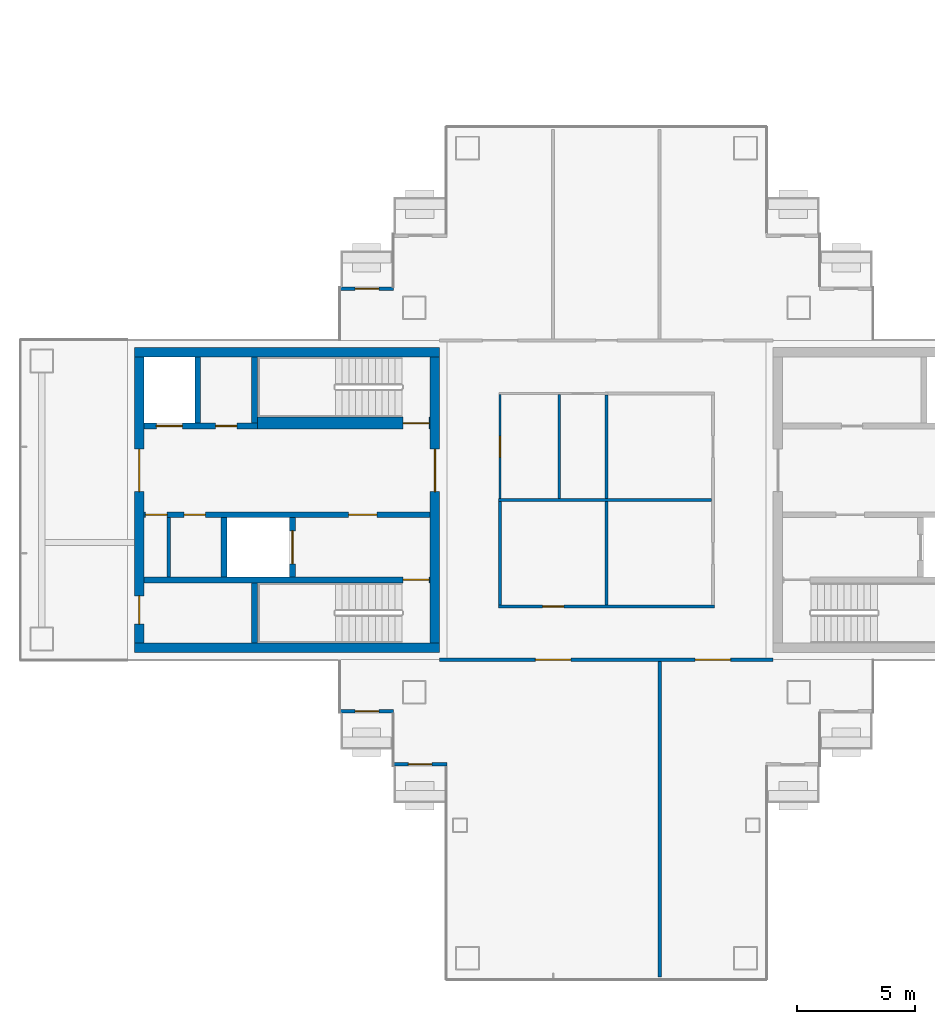
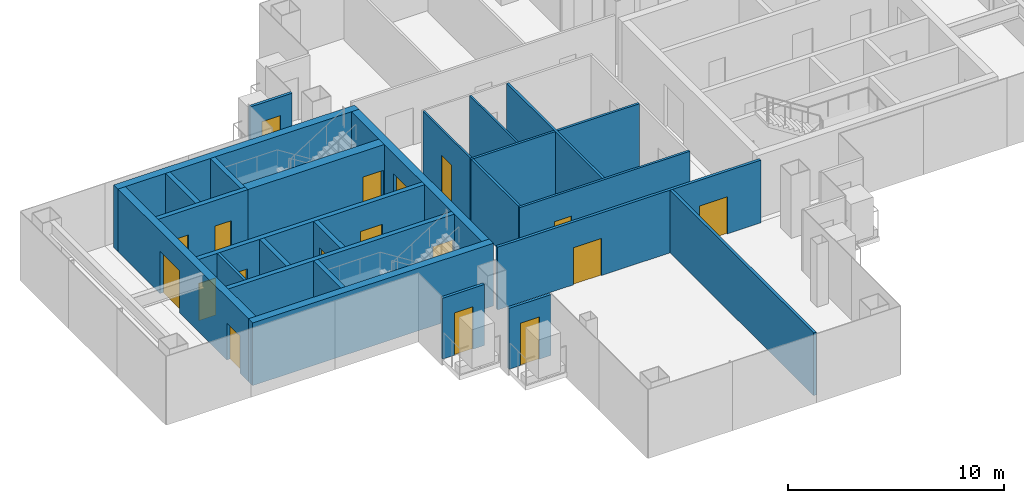
# One storey, part 8 of 15: 25 walls, 18 doors, 18 openings.
"""IFC4 building model written with IfcOpenShell, lengths in metres."""

from ifc_helpers import new_model, si_unit, direction, frame, frame_2d, origin, place, context, subcontext, project, spatial, rectangle, extrude, material, layer, layer_set, type_object, element, fill, save


model = new_model("IFC4")

# Units and contexts
model_context = context("Model", 3, precision=1e-05, world=origin(), true_north=direction((0.0, 1.0)))
body_context = subcontext(model_context, "Body", "Model", "MODEL_VIEW")
ifc_project = project(units=[si_unit("LENGTHUNIT", "METRE"), si_unit("AREAUNIT", "SQUARE_METRE"), si_unit("VOLUMEUNIT", "CUBIC_METRE"), si_unit("PLANEANGLEUNIT", "RADIAN"), si_unit("MASSUNIT", "GRAM", prefix="KILO")], contexts=[model_context])

# Site, building, storey
site_placement = place(None, origin())
site = spatial("IfcSite", under=ifc_project, at=site_placement, CompositionType="ELEMENT")
building_placement = place(site_placement, origin())
building = spatial("IfcBuilding", under=site, at=building_placement, Name="Shamsa Quay Exchange Towers", CompositionType="ELEMENT")
storey_placement = place(building_placement, frame((0.0, 0.0, 202.199951171875)))
storey = spatial("IfcBuildingStorey", under=building, at=storey_placement, Name="L48", CompositionType="ELEMENT", Elevation=202.199951171875)

# Wall, opening, door
ifc_material_1 = material(Name="Aluminium EN AW-6063 T6, black anodised, with black enamelled glass infill", Category="aluminium")
ifc_layer_1 = layer(ifc_material_1, 0.14990234375)
ifc_layer_set_1 = layer_set([ifc_layer_1], Name="BALCONY DOOR BAY WALL 150")
wall_type_1 = type_object("IfcWallType", Name="BALCONY DOOR BAY WALL 150", PredefinedType="SOLIDWALL", material=ifc_layer_set_1)
wall_1_placement = place(storey_placement, frame((-45.0, 8.925048828125, 0.0)))
wall_1 = element("IfcWall", 1, at=wall_1_placement, inside=storey, type_object=wall_type_1, Name="Door bay T1-PKWN L48", PredefinedType="SOLIDWALL", context=body_context, shape_type="SweptSolid", body=[
    extrude(rectangle(XDim=2.25, YDim=0.14990234375, at=frame_2d((1.125, 0.0))), origin(), (0.0, 0.0, 1.0), 3.449951171875),
])
opening_1_placement = place(wall_1_placement, frame((0.625, 0.0, 0.0)))
opening_1 = element("IfcOpeningElement", 2, at=opening_1_placement, cuts=wall_1, Name="Opening XD318", PredefinedType="OPENING", context=body_context, shape_type="SweptSolid", body=[
    extrude(rectangle(XDim=1.0, YDim=2.39990234375, at=frame_2d((0.5, 1.199951171875))), frame((0.0, 0.0849609375, 0.0), z_axis=(0.0, -1.0, 0.0), x_axis=(1.0, 0.0, 0.0)), (0.0, 0.0, 1.0), 0.169921875),
])
ifc_material_2 = material(Name="Aluminium EN AW-6063 T6, black anodised, with laminated glass leaf", Category="aluminium")
door_type_1 = type_object("IfcDoorType", Name="BALCONY DOOR 1000x2400", OperationType="SINGLE_SWING_LEFT", PredefinedType="DOOR", material=ifc_material_2)
door_1_placement = place(opening_1_placement, origin())
door_1 = element("IfcDoor", 3, at=door_1_placement, inside=storey, type_object=door_type_1, Name="Balcony door T1-PKWN L48", OperationType="SINGLE_SWING_RIGHT", OverallHeight=2.39990234375, OverallWidth=1.0, PredefinedType="DOOR", context=body_context, shape_type="SweptSolid", body=[
    extrude(rectangle(XDim=1.0, YDim=2.39990234375, at=frame_2d((0.5, 1.199951171875))), frame((0.0, 0.02490234375, 0.0), z_axis=(0.0, -1.0, 0.0), x_axis=(1.0, 0.0, 0.0)), (0.0, 0.0, 1.0), 0.050048828125),
])
fill(opening_1, door_1)

wall_2_placement = place(storey_placement, frame((-42.75, -8.925048828125, 0.0), z_axis=(0.0, 0.0, 1.0), x_axis=(-1.0, 0.0, 0.0)))
wall_2 = element("IfcWall", 4, at=wall_2_placement, inside=storey, type_object=wall_type_1, Name="Door bay T1-PKWS L48", PredefinedType="SOLIDWALL", context=body_context, shape_type="SweptSolid", body=[
    extrude(rectangle(XDim=2.25, YDim=0.14990234375, at=frame_2d((1.125, 0.0))), origin(), (0.0, 0.0, 1.0), 3.449951171875),
])
opening_2_placement = place(wall_2_placement, frame((0.625, 0.0, 0.0)))
opening_2 = element("IfcOpeningElement", 5, at=opening_2_placement, cuts=wall_2, Name="Opening XD319", PredefinedType="OPENING", context=body_context, shape_type="SweptSolid", body=[
    extrude(rectangle(XDim=1.0, YDim=2.39990234375, at=frame_2d((0.5, 1.199951171875))), frame((0.0, 0.0849609375, 0.0), z_axis=(0.0, -1.0, 0.0), x_axis=(1.0, 0.0, 0.0)), (0.0, 0.0, 1.0), 0.169921875),
])
door_2_placement = place(opening_2_placement, origin())
door_2 = element("IfcDoor", 6, at=door_2_placement, inside=storey, type_object=door_type_1, Name="Balcony door T1-PKWS L48", OperationType="SINGLE_SWING_LEFT", OverallHeight=2.39990234375, OverallWidth=1.0, PredefinedType="DOOR", context=body_context, shape_type="SweptSolid", body=[
    extrude(rectangle(XDim=1.0, YDim=2.39990234375, at=frame_2d((0.5, 1.199951171875))), frame((0.0, 0.02490234375, 0.0), z_axis=(0.0, -1.0, 0.0), x_axis=(1.0, 0.0, 0.0)), (0.0, 0.0, 1.0), 0.050048828125),
])
fill(opening_2, door_2)

wall_3_placement = place(storey_placement, frame((-40.5, -11.175048828125, 0.0), z_axis=(0.0, 0.0, 1.0), x_axis=(-1.0, 0.0, 0.0)))
wall_3 = element("IfcWall", 7, at=wall_3_placement, inside=storey, type_object=wall_type_1, Name="Door bay T1-PKWS L48", PredefinedType="SOLIDWALL", context=body_context, shape_type="SweptSolid", body=[
    extrude(rectangle(XDim=2.25, YDim=0.14990234375, at=frame_2d((1.125, 0.0))), origin(), (0.0, 0.0, 1.0), 3.449951171875),
])
opening_3_placement = place(wall_3_placement, frame((0.625, 0.0, 0.0)))
opening_3 = element("IfcOpeningElement", 8, at=opening_3_placement, cuts=wall_3, Name="Opening XD320", PredefinedType="OPENING", context=body_context, shape_type="SweptSolid", body=[
    extrude(rectangle(XDim=1.0, YDim=2.39990234375, at=frame_2d((0.5, 1.199951171875))), frame((0.0, 0.0849609375, 0.0), z_axis=(0.0, -1.0, 0.0), x_axis=(1.0, 0.0, 0.0)), (0.0, 0.0, 1.0), 0.169921875),
])
door_3_placement = place(opening_3_placement, origin())
door_3 = element("IfcDoor", 9, at=door_3_placement, inside=storey, type_object=door_type_1, Name="Balcony door T1-PKWS L48", OperationType="SINGLE_SWING_RIGHT", OverallHeight=2.39990234375, OverallWidth=1.0, PredefinedType="DOOR", context=body_context, shape_type="SweptSolid", body=[
    extrude(rectangle(XDim=1.0, YDim=2.39990234375, at=frame_2d((0.5, 1.199951171875))), frame((0.0, 0.02490234375, 0.0), z_axis=(0.0, -1.0, 0.0), x_axis=(1.0, 0.0, 0.0)), (0.0, 0.0, 1.0), 0.050048828125),
])
fill(opening_3, door_3)

# Walls
ifc_material_3 = material(Name="Concrete C60/75", Category="concrete")
ifc_layer_2 = layer(ifc_material_3, 0.39990234375)
ifc_layer_set_2 = layer_set([ifc_layer_2], Name="CORE WALL 400 C60/75")
wall_type_2 = type_object("IfcWallType", Name="CORE WALL 400 C60/75", PredefinedType="SHEAR", material=ifc_layer_set_2)
for number, where, z_axis, x_axis, name in (
    (10, (-40.800048828125, -6.25, 0.0), (0.0, 0.0, 1.0), (-1.0, 0.0, 0.0), "Core wall T1B-R22-PS"),
    (11, (-40.800048828125, 6.25, 0.0), (0.0, 0.0, 1.0), (-1.0, 0.0, 0.0), "Core wall T1B-R22-PN"),
):
    element("IfcWall", number, at=place(storey_placement, frame(where, z_axis=z_axis, x_axis=x_axis)), inside=storey, type_object=wall_type_2, Name=name, PredefinedType="SHEAR", context=body_context, shape_type="SweptSolid", body=[
        extrude(rectangle(XDim=12.89990234375, YDim=0.39990234375, at=frame_2d((6.449951171875, 0.0))), origin(), (0.0, 0.0, 1.0), 3.550048828125),
    ])

# Wall, opening, door
wall_4_placement = place(storey_placement, frame((-41.0, -6.050048828125, 0.0), z_axis=(0.0, 0.0, 1.0), x_axis=(0.0, 1.0, 0.0)))
wall_4 = element("IfcWall", 12, at=wall_4_placement, inside=storey, type_object=wall_type_2, Name="Core wall T1B-R22-PF", PredefinedType="SHEAR", context=body_context, shape_type="SweptSolid", body=[
    extrude(rectangle(XDim=12.10009765625, YDim=0.39990234375, at=frame_2d((6.050048828125, 0.0))), origin(), (0.0, 0.0, 1.0), 3.550048828125),
])
opening_4_placement = place(wall_4_placement, frame((6.39990234375, 0.0, 0.0)))
opening_4 = element("IfcOpeningElement", 13, at=opening_4_placement, cuts=wall_4, Name="Opening T1B-R22-LBD01", PredefinedType="OPENING", context=body_context, shape_type="SweptSolid", body=[
    extrude(rectangle(XDim=1.800048828125, YDim=2.39990234375, at=frame_2d((0.89990234375, 1.199951171875))), frame((0.0, 0.2099609375, 0.0), z_axis=(0.0, -1.0, 0.0), x_axis=(1.0, 0.0, 0.0)), (0.0, 0.0, 1.0), 0.419921875),
])
ifc_material_4 = material(Name="Steel, fire rated", Category="steel")
door_type_2 = type_object("IfcDoorType", Name="LIFT LOBBY DOOR PAIR 1800", OperationType="DOUBLE_DOOR_SINGLE_SWING", PredefinedType="DOOR", material=ifc_material_4)
door_4_placement = place(opening_4_placement, origin())
door_4 = element("IfcDoor", 14, at=door_4_placement, inside=storey, type_object=door_type_2, Name="T1B-R22-LBD01", OperationType="DOUBLE_DOOR_SINGLE_SWING", OverallHeight=2.39990234375, OverallWidth=1.800048828125, PredefinedType="DOOR", context=body_context, shape_type="SweptSolid", body=[
    extrude(rectangle(XDim=1.800048828125, YDim=2.39990234375, at=frame_2d((0.89990234375, 1.199951171875))), frame((0.0, 0.02490234375, 0.0), z_axis=(0.0, -1.0, 0.0), x_axis=(1.0, 0.0, 0.0)), (0.0, 0.0, 1.0), 0.050048828125),
])
fill(opening_4, door_4)

# Wall, openings, doors
wall_5_placement = place(storey_placement, frame((-53.5, -6.050048828125, 0.0), z_axis=(0.0, 0.0, 1.0), x_axis=(0.0, 1.0, 0.0)))
wall_5 = element("IfcWall", 15, at=wall_5_placement, inside=storey, type_object=wall_type_2, Name="Core wall T1B-R22-PB", PredefinedType="SHEAR", context=body_context, shape_type="SweptSolid", body=[
    extrude(rectangle(XDim=12.10009765625, YDim=0.39990234375, at=frame_2d((6.050048828125, 0.0))), origin(), (0.0, 0.0, 1.0), 3.550048828125),
])
opening_5_placement = place(wall_5_placement, frame((0.800048828125, 0.0, 0.0)))
opening_5 = element("IfcOpeningElement", 16, at=opening_5_placement, cuts=wall_5, Name="Opening T1B-R22-RD02", PredefinedType="OPENING", context=body_context, shape_type="SweptSolid", body=[
    extrude(rectangle(XDim=1.199951171875, YDim=2.10009765625, at=frame_2d((0.60009765625, 1.050048828125))), frame((0.0, 0.2099609375, 0.0), z_axis=(0.0, -1.0, 0.0), x_axis=(1.0, 0.0, 0.0)), (0.0, 0.0, 1.0), 0.419921875),
])
opening_6_placement = place(wall_5_placement, frame((6.39990234375, 0.0, 0.0)))
opening_6 = element("IfcOpeningElement", 17, at=opening_6_placement, cuts=wall_5, Name="Opening T1B-R22-LBD03", PredefinedType="OPENING", context=body_context, shape_type="SweptSolid", body=[
    extrude(rectangle(XDim=1.800048828125, YDim=2.39990234375, at=frame_2d((0.89990234375, 1.199951171875))), frame((0.0, 0.2099609375, 0.0), z_axis=(0.0, -1.0, 0.0), x_axis=(1.0, 0.0, 0.0)), (0.0, 0.0, 1.0), 0.419921875),
])
door_5_placement = place(opening_6_placement, origin())
door_5 = element("IfcDoor", 18, at=door_5_placement, inside=storey, type_object=door_type_2, Name="T1B-R22-LBD03", OperationType="DOUBLE_DOOR_SINGLE_SWING", OverallHeight=2.39990234375, OverallWidth=1.800048828125, PredefinedType="DOOR", context=body_context, shape_type="SweptSolid", body=[
    extrude(rectangle(XDim=1.800048828125, YDim=2.39990234375, at=frame_2d((0.89990234375, 1.199951171875))), frame((0.0, 0.02490234375, 0.0), z_axis=(0.0, -1.0, 0.0), x_axis=(1.0, 0.0, 0.0)), (0.0, 0.0, 1.0), 0.050048828125),
])
fill(opening_6, door_5)
door_type_3 = type_object("IfcDoorType", Name="RISER ACCESS DOOR 1200", OperationType="SINGLE_SWING_LEFT", PredefinedType="DOOR", material=ifc_material_4)
door_6_placement = place(opening_5_placement, origin())
door_6 = element("IfcDoor", 19, at=door_6_placement, inside=storey, type_object=door_type_3, Name="T1B-R22-RD02", OperationType="SINGLE_SWING_LEFT", OverallHeight=2.10009765625, OverallWidth=1.199951171875, PredefinedType="DOOR", context=body_context, shape_type="SweptSolid", body=[
    extrude(rectangle(XDim=1.199951171875, YDim=2.10009765625, at=frame_2d((0.60009765625, 1.050048828125))), frame((0.0, 0.02490234375, 0.0), z_axis=(0.0, -1.0, 0.0), x_axis=(1.0, 0.0, 0.0)), (0.0, 0.0, 1.0), 0.050048828125),
])
fill(opening_5, door_6)

# Wall
ifc_material_5 = material(Name="Gypsum board on steel studs, EI 60", Category="steel")
ifc_layer_3 = layer(ifc_material_5, 0.14990234375)
ifc_layer_set_3 = layer_set([ifc_layer_3], Name="FIRE PARTITION 150")
wall_type_3 = type_object("IfcWallType", Name="FIRE PARTITION 150", PredefinedType="PARTITIONING", material=ifc_layer_set_3)
wall_6_placement = place(storey_placement, frame((-52.25, -3.25, 0.0), z_axis=(0.0, 0.0, 1.0), x_axis=(0.0, 1.0, 0.0)))
element("IfcWall", 20, at=wall_6_placement, inside=storey, type_object=wall_type_3, Name="Partition T1B-R22-EC0", PredefinedType="PARTITIONING", context=body_context, shape_type="SweptSolid", body=[
    extrude(rectangle(XDim=2.5, YDim=0.14990234375, at=frame_2d((1.25, 0.0))), origin(), (0.0, 0.0, 1.0), 3.550048828125),
])

# Wall, opening, door
ifc_material_6 = material(Name="Laminated fire-resisting glass in a metal frame", Category="glass")
ifc_layer_4 = layer(ifc_material_6, 0.125)
ifc_layer_set_4 = layer_set([ifc_layer_4], Name="Glazed partition 125 mm EI 60")
wall_type_4 = type_object("IfcWallType", Name="Glazed partition 125 mm EI 60", PredefinedType="PARTITIONING", material=ifc_layer_set_4)
wall_7_placement = place(storey_placement, frame((-38.3125, -4.5, 0.0)))
wall_7 = element("IfcWall", 21, at=wall_7_placement, inside=storey, type_object=wall_type_4, Name="Partition T1-R22-W03", PredefinedType="PARTITIONING", context=body_context, shape_type="SweptSolid", body=[
    extrude(rectangle(XDim=9.125, YDim=0.125, at=frame_2d((4.5625, 0.0))), origin(), (0.0, 0.0, 1.0), 3.550048828125),
])
opening_7_placement = place(wall_7_placement, frame((1.862548828125, 0.0, 0.0)))
opening_7 = element("IfcOpeningElement", 22, at=opening_7_placement, cuts=wall_7, Name="Opening T1-R22-D04", PredefinedType="OPENING", context=body_context, shape_type="SweptSolid", body=[
    extrude(rectangle(XDim=0.89990234375, YDim=2.10009765625, at=frame_2d((0.449951171875, 1.050048828125))), frame((0.0, 0.072509765625, 0.0), z_axis=(0.0, -1.0, 0.0), x_axis=(1.0, 0.0, 0.0)), (0.0, 0.0, 1.0), 0.14501953125),
])
ifc_material_7 = material(Name="Timber door leaf in a metal frame", Category="wood")
door_type_4 = type_object("IfcDoorType", Name="Door 900x2100 FD30S", OperationType="NOTDEFINED", PredefinedType="DOOR", material=ifc_material_7)
door_7_placement = place(opening_7_placement, origin())
door_7 = element("IfcDoor", 23, at=door_7_placement, inside=storey, type_object=door_type_4, Name="Door T1-R22-D04", OperationType="SINGLE_SWING_LEFT", OverallHeight=2.10009765625, OverallWidth=0.89990234375, PredefinedType="DOOR", context=body_context, shape_type="SweptSolid", body=[
    extrude(rectangle(XDim=0.89990234375, YDim=2.10009765625, at=frame_2d((0.449951171875, 1.050048828125))), frame((0.0, 0.02490234375, 0.0), z_axis=(0.0, -1.0, 0.0), x_axis=(1.0, 0.0, 0.0)), (0.0, 0.0, 1.0), 0.050048828125),
])
fill(opening_7, door_7)

# Walls
wall_8_placement = place(storey_placement, frame((-38.25, -0.0625, 0.0), z_axis=(0.0, 0.0, 1.0), x_axis=(0.0, -1.0, 0.0)))
element("IfcWall", 24, at=wall_8_placement, inside=storey, type_object=wall_type_4, Name="Partition T1-R22-W06", PredefinedType="PARTITIONING", context=body_context, shape_type="SweptSolid", body=[
    extrude(rectangle(XDim=4.375, YDim=0.125, at=frame_2d((2.1875, 0.0))), origin(), (0.0, 0.0, 1.0), 3.550048828125),
])
wall_9_placement = place(storey_placement, frame((-38.3125, 0.0, 0.0)))
element("IfcWall", 25, at=wall_9_placement, inside=storey, type_object=wall_type_4, Name="Partition T1-R22-W09", PredefinedType="PARTITIONING", context=body_context, shape_type="SweptSolid", body=[
    extrude(rectangle(XDim=9.0, YDim=0.125, at=frame_2d((4.5, 0.0))), origin(), (0.0, 0.0, 1.0), 3.550048828125),
])
wall_10_placement = place(storey_placement, frame((-33.75, 4.4375, 0.0), z_axis=(0.0, 0.0, 1.0), x_axis=(0.0, -1.0, 0.0)))
element("IfcWall", 26, at=wall_10_placement, inside=storey, type_object=wall_type_4, Name="Partition T1-R22-W10", PredefinedType="PARTITIONING", context=body_context, shape_type="SweptSolid", body=[
    extrude(rectangle(XDim=8.875, YDim=0.125, at=frame_2d((4.4375, 0.0))), origin(), (0.0, 0.0, 1.0), 3.550048828125),
])

# Wall, opening, door
ifc_material_8 = material(Name="Gypsum board partition on metal studs")
ifc_layer_5 = layer(ifc_material_8, 0.10009765625)
ifc_layer_set_5 = layer_set([ifc_layer_5], Name="Partition 100 mm NOT RATED")
wall_type_5 = type_object("IfcWallType", Name="Partition 100 mm NOT RATED", PredefinedType="PARTITIONING", material=ifc_layer_set_5)
wall_11_placement = place(storey_placement, frame((-38.25, 4.449951171875, 0.0), z_axis=(0.0, 0.0, 1.0), x_axis=(0.0, -1.0, 0.0)))
wall_11 = element("IfcWall", 27, at=wall_11_placement, inside=storey, type_object=wall_type_5, Name="Partition T1-R22-W04", PredefinedType="PARTITIONING", context=body_context, shape_type="SweptSolid", body=[
    extrude(rectangle(XDim=4.387451171875, YDim=0.10009765625, at=frame_2d((2.19384765625, 0.0))), origin(), (0.0, 0.0, 1.0), 3.550048828125),
])
opening_8_placement = place(wall_11_placement, frame((1.75, 0.0, 0.0)))
opening_8 = element("IfcOpeningElement", 28, at=opening_8_placement, cuts=wall_11, Name="Opening T1-R22-D05", PredefinedType="OPENING", context=body_context, shape_type="SweptSolid", body=[
    extrude(rectangle(XDim=0.89990234375, YDim=2.10009765625, at=frame_2d((0.449951171875, 1.050048828125))), frame((0.0, 0.06005859375, 0.0), z_axis=(0.0, -1.0, 0.0), x_axis=(1.0, 0.0, 0.0)), (0.0, 0.0, 1.0), 0.1201171875),
])
door_type_5 = type_object("IfcDoorType", Name="Door 900x2100 NOT RATED", OperationType="NOTDEFINED", PredefinedType="DOOR", material=ifc_material_7)
door_8_placement = place(opening_8_placement, origin())
door_8 = element("IfcDoor", 29, at=door_8_placement, inside=storey, type_object=door_type_5, Name="Door T1-R22-D05", OperationType="SINGLE_SWING_LEFT", OverallHeight=2.10009765625, OverallWidth=0.89990234375, PredefinedType="DOOR", context=body_context, shape_type="SweptSolid", body=[
    extrude(rectangle(XDim=0.89990234375, YDim=2.10009765625, at=frame_2d((0.449951171875, 1.050048828125))), frame((0.0, 0.02490234375, 0.0), z_axis=(0.0, -1.0, 0.0), x_axis=(1.0, 0.0, 0.0)), (0.0, 0.0, 1.0), 0.050048828125),
])
fill(opening_8, door_8)

# Wall
wall_12_placement = place(storey_placement, frame((-35.75, 0.0625, 0.0), z_axis=(0.0, 0.0, 1.0), x_axis=(0.0, 1.0, 0.0)))
element("IfcWall", 30, at=wall_12_placement, inside=storey, type_object=wall_type_5, Name="Partition T1-R22-W11", PredefinedType="PARTITIONING", context=body_context, shape_type="SweptSolid", body=[
    extrude(rectangle(XDim=4.387451171875, YDim=0.10009765625, at=frame_2d((2.19384765625, 0.0))), origin(), (0.0, 0.0, 1.0), 3.550048828125),
])

# Wall, openings, doors
ifc_layer_6 = layer(ifc_material_8, 0.14990234375)
ifc_layer_set_6 = layer_set([ifc_layer_6], Name="Partition 150 mm EI 60")
wall_type_6 = type_object("IfcWallType", Name="Partition 150 mm EI 60", PredefinedType="PARTITIONING", material=ifc_layer_set_6)
wall_13_placement = place(storey_placement, frame((-26.699951171875, -6.75, 0.0), z_axis=(0.0, 0.0, 1.0), x_axis=(-1.0, 0.0, 0.0)))
wall_13 = element("IfcWall", 31, at=wall_13_placement, inside=storey, type_object=wall_type_6, Name="Partition T1-R22-W08", PredefinedType="PARTITIONING", context=body_context, shape_type="SweptSolid", body=[
    extrude(rectangle(XDim=14.10009765625, YDim=0.14990234375, at=frame_2d((7.050048828125, 0.0))), origin(), (0.0, 0.0, 1.0), 3.550048828125),
])
opening_9_placement = place(wall_13_placement, frame((1.800048828125, 0.0, 0.0)))
opening_9 = element("IfcOpeningElement", 32, at=opening_9_placement, cuts=wall_13, Name="Opening T1-R22-D09", PredefinedType="OPENING", context=body_context, shape_type="SweptSolid", body=[
    extrude(rectangle(XDim=1.5, YDim=2.10009765625, at=frame_2d((0.75, 1.050048828125))), frame((0.0, 0.0849609375, 0.0), z_axis=(0.0, -1.0, 0.0), x_axis=(1.0, 0.0, 0.0)), (0.0, 0.0, 1.0), 0.169921875),
])
opening_10_placement = place(wall_13_placement, frame((8.550048828125, 0.0, 0.0)))
opening_10 = element("IfcOpeningElement", 33, at=opening_10_placement, cuts=wall_13, Name="Opening T1-R22-D10", PredefinedType="OPENING", context=body_context, shape_type="SweptSolid", body=[
    extrude(rectangle(XDim=1.5, YDim=2.10009765625, at=frame_2d((0.75, 1.050048828125))), frame((0.0, 0.0849609375, 0.0), z_axis=(0.0, -1.0, 0.0), x_axis=(1.0, 0.0, 0.0)), (0.0, 0.0, 1.0), 0.169921875),
])
door_type_6 = type_object("IfcDoorType", Name="Door 1500x2100 FD30S pair", OperationType="NOTDEFINED", PredefinedType="DOOR", material=ifc_material_7)
door_9_placement = place(opening_9_placement, origin())
door_9 = element("IfcDoor", 34, at=door_9_placement, inside=storey, type_object=door_type_6, Name="Door T1-R22-D09", OperationType="DOUBLE_DOOR_SINGLE_SWING", OverallHeight=2.10009765625, OverallWidth=1.5, PredefinedType="DOOR", context=body_context, shape_type="SweptSolid", body=[
    extrude(rectangle(XDim=1.5, YDim=2.10009765625, at=frame_2d((0.75, 1.050048828125))), frame((0.0, 0.02490234375, 0.0), z_axis=(0.0, -1.0, 0.0), x_axis=(1.0, 0.0, 0.0)), (0.0, 0.0, 1.0), 0.050048828125),
])
fill(opening_9, door_9)
door_10_placement = place(opening_10_placement, origin())
door_10 = element("IfcDoor", 35, at=door_10_placement, inside=storey, type_object=door_type_6, Name="Door T1-R22-D10", OperationType="DOUBLE_DOOR_SINGLE_SWING", OverallHeight=2.10009765625, OverallWidth=1.5, PredefinedType="DOOR", context=body_context, shape_type="SweptSolid", body=[
    extrude(rectangle(XDim=1.5, YDim=2.10009765625, at=frame_2d((0.75, 1.050048828125))), frame((0.0, 0.02490234375, 0.0), z_axis=(0.0, -1.0, 0.0), x_axis=(1.0, 0.0, 0.0)), (0.0, 0.0, 1.0), 0.050048828125),
])
fill(opening_10, door_10)

# Wall
wall_14_placement = place(storey_placement, frame((-31.5, -20.155029296875, 0.0), z_axis=(0.0, 0.0, 1.0), x_axis=(0.0, 1.0, 0.0)))
element("IfcWall", 36, at=wall_14_placement, inside=storey, type_object=wall_type_6, Name="Partition T1-R22-W14", PredefinedType="PARTITIONING", context=body_context, shape_type="SweptSolid", body=[
    extrude(rectangle(XDim=13.330078125, YDim=0.14990234375, at=frame_2d((6.6650390625, 0.0))), origin(), (0.0, 0.0, 1.0), 3.550048828125),
])

# Wall, opening, door
ifc_material_9 = material(Name="Concrete C50/60", Category="concrete")
ifc_layer_7 = layer(ifc_material_9, 0.25)
ifc_layer_set_7 = layer_set([ifc_layer_7], Name="SHAFT WALL 250 C50/60")
wall_type_7 = type_object("IfcWallType", Name="SHAFT WALL 250 C50/60", PredefinedType="SHEAR", material=ifc_layer_set_7)
wall_15_placement = place(storey_placement, frame((-41.199951171875, -3.375, 0.0), z_axis=(0.0, 0.0, 1.0), x_axis=(-1.0, 0.0, 0.0)))
wall_15 = element("IfcWall", 37, at=wall_15_placement, inside=storey, type_object=wall_type_7, Name="Shaft wall T1B-R22-STL", PredefinedType="SHEAR", context=body_context, shape_type="SweptSolid", body=[
    extrude(rectangle(XDim=12.10009765625, YDim=0.25, at=frame_2d((6.050048828125, 0.0))), origin(), (0.0, 0.0, 1.0), 3.550048828125),
])
opening_11_placement = place(wall_15_placement, frame((0.050048828125, 0.0, 0.0)))
opening_11 = element("IfcOpeningElement", 38, at=opening_11_placement, cuts=wall_15, Name="Opening T1B-R22-SD04", PredefinedType="OPENING", context=body_context, shape_type="SweptSolid", body=[
    extrude(rectangle(XDim=1.10009765625, YDim=2.10009765625, at=frame_2d((0.550048828125, 1.050048828125))), frame((0.0, 0.135009765625, 0.0), z_axis=(0.0, -1.0, 0.0), x_axis=(1.0, 0.0, 0.0)), (0.0, 0.0, 1.0), 0.27001953125),
])
door_type_7 = type_object("IfcDoorType", Name="STAIR DOOR 1100", OperationType="SINGLE_SWING_LEFT", PredefinedType="DOOR", material=ifc_material_4)
door_11_placement = place(opening_11_placement, origin())
door_11 = element("IfcDoor", 39, at=door_11_placement, inside=storey, type_object=door_type_7, Name="T1B-R22-SD04", OperationType="SINGLE_SWING_LEFT", OverallHeight=2.10009765625, OverallWidth=1.10009765625, PredefinedType="DOOR", context=body_context, shape_type="SweptSolid", body=[
    extrude(rectangle(XDim=1.10009765625, YDim=2.10009765625, at=frame_2d((0.550048828125, 1.050048828125))), frame((0.0, 0.02490234375, 0.0), z_axis=(0.0, -1.0, 0.0), x_axis=(1.0, 0.0, 0.0)), (0.0, 0.0, 1.0), 0.050048828125),
])
fill(opening_11, door_11)

# Wall
wall_16_placement = place(storey_placement, frame((-48.625, -6.050048828125, 0.0), z_axis=(0.0, 0.0, 1.0), x_axis=(0.0, 1.0, 0.0)))
element("IfcWall", 40, at=wall_16_placement, inside=storey, type_object=wall_type_7, Name="Shaft wall T1B-R22-STF", PredefinedType="SHEAR", context=body_context, shape_type="SweptSolid", body=[
    extrude(rectangle(XDim=2.550048828125, YDim=0.25, at=frame_2d((1.27490234375, 0.0))), origin(), (0.0, 0.0, 1.0), 3.550048828125),
])

# Wall, openings, doors
wall_17_placement = place(storey_placement, frame((-41.199951171875, -0.625, 0.0), z_axis=(0.0, 0.0, 1.0), x_axis=(-1.0, 0.0, 0.0)))
wall_17 = element("IfcWall", 41, at=wall_17_placement, inside=storey, type_object=wall_type_7, Name="Shaft wall T1B-R22-B", PredefinedType="SHEAR", context=body_context, shape_type="SweptSolid", body=[
    extrude(rectangle(XDim=12.10009765625, YDim=0.25, at=frame_2d((6.050048828125, 0.0))), origin(), (0.0, 0.0, 1.0), 3.550048828125),
])
opening_12_placement = place(wall_17_placement, frame((2.25, 0.0, 0.0)))
opening_12 = element("IfcOpeningElement", 42, at=opening_12_placement, cuts=wall_17, Name="Opening T1B-R22-FD05", PredefinedType="OPENING", context=body_context, shape_type="SweptSolid", body=[
    extrude(rectangle(XDim=1.199951171875, YDim=2.10009765625, at=frame_2d((0.60009765625, 1.050048828125))), frame((0.0, 0.135009765625, 0.0), z_axis=(0.0, -1.0, 0.0), x_axis=(1.0, 0.0, 0.0)), (0.0, 0.0, 1.0), 0.27001953125),
])
opening_13_placement = place(wall_17_placement, frame((9.5, 0.0, 0.0)))
opening_13 = element("IfcOpeningElement", 43, at=opening_13_placement, cuts=wall_17, Name="Opening T1B-R22-SV06", PredefinedType="OPENING", context=body_context, shape_type="SweptSolid", body=[
    extrude(rectangle(XDim=0.89990234375, YDim=2.10009765625, at=frame_2d((0.449951171875, 1.050048828125))), frame((0.0, 0.135009765625, 0.0), z_axis=(0.0, -1.0, 0.0), x_axis=(1.0, 0.0, 0.0)), (0.0, 0.0, 1.0), 0.27001953125),
])
opening_14_placement = place(wall_17_placement, frame((11.125, 0.0, 0.0)))
opening_14 = element("IfcOpeningElement", 44, at=opening_14_placement, cuts=wall_17, Name="Opening T1B-R22-SV07", PredefinedType="OPENING", context=body_context, shape_type="SweptSolid", body=[
    extrude(rectangle(XDim=0.89990234375, YDim=2.10009765625, at=frame_2d((0.449951171875, 1.050048828125))), frame((0.0, 0.135009765625, 0.0), z_axis=(0.0, -1.0, 0.0), x_axis=(1.0, 0.0, 0.0)), (0.0, 0.0, 1.0), 0.27001953125),
])
door_type_8 = type_object("IfcDoorType", Name="FIRE SERVICE LOBBY DOOR 1200", OperationType="SINGLE_SWING_LEFT", PredefinedType="DOOR", material=ifc_material_4)
door_12_placement = place(opening_12_placement, origin())
door_12 = element("IfcDoor", 45, at=door_12_placement, inside=storey, type_object=door_type_8, Name="T1B-R22-FD05", OperationType="SINGLE_SWING_LEFT", OverallHeight=2.10009765625, OverallWidth=1.199951171875, PredefinedType="DOOR", context=body_context, shape_type="SweptSolid", body=[
    extrude(rectangle(XDim=1.199951171875, YDim=2.10009765625, at=frame_2d((0.60009765625, 1.050048828125))), frame((0.0, 0.02490234375, 0.0), z_axis=(0.0, -1.0, 0.0), x_axis=(1.0, 0.0, 0.0)), (0.0, 0.0, 1.0), 0.050048828125),
])
fill(opening_12, door_12)
door_type_9 = type_object("IfcDoorType", Name="SERVICE ROOM DOOR 900", OperationType="SINGLE_SWING_LEFT", PredefinedType="DOOR", material=ifc_material_4)
door_13_placement = place(opening_13_placement, origin())
door_13 = element("IfcDoor", 46, at=door_13_placement, inside=storey, type_object=door_type_9, Name="T1B-R22-SV06", OperationType="SINGLE_SWING_RIGHT", OverallHeight=2.10009765625, OverallWidth=0.89990234375, PredefinedType="DOOR", context=body_context, shape_type="SweptSolid", body=[
    extrude(rectangle(XDim=0.89990234375, YDim=2.10009765625, at=frame_2d((0.449951171875, 1.050048828125))), frame((0.0, 0.02490234375, 0.0), z_axis=(0.0, -1.0, 0.0), x_axis=(1.0, 0.0, 0.0)), (0.0, 0.0, 1.0), 0.050048828125),
])
fill(opening_13, door_13)
door_14_placement = place(opening_14_placement, origin())
door_14 = element("IfcDoor", 47, at=door_14_placement, inside=storey, type_object=door_type_9, Name="T1B-R22-SV07", OperationType="SINGLE_SWING_RIGHT", OverallHeight=2.10009765625, OverallWidth=0.89990234375, PredefinedType="DOOR", context=body_context, shape_type="SweptSolid", body=[
    extrude(rectangle(XDim=0.89990234375, YDim=2.10009765625, at=frame_2d((0.449951171875, 1.050048828125))), frame((0.0, 0.02490234375, 0.0), z_axis=(0.0, -1.0, 0.0), x_axis=(1.0, 0.0, 0.0)), (0.0, 0.0, 1.0), 0.050048828125),
])
fill(opening_14, door_14)

# Wall, opening, door
wall_18_placement = place(storey_placement, frame((-47.02490234375, -3.25, 0.0), z_axis=(0.0, 0.0, 1.0), x_axis=(0.0, 1.0, 0.0)))
wall_18 = element("IfcWall", 48, at=wall_18_placement, inside=storey, type_object=wall_type_7, Name="Shaft wall T1B-R22-FFF", PredefinedType="SHEAR", context=body_context, shape_type="SweptSolid", body=[
    extrude(rectangle(XDim=2.5, YDim=0.25, at=frame_2d((1.25, 0.0))), origin(), (0.0, 0.0, 1.0), 3.550048828125),
])
opening_15_placement = place(wall_18_placement, frame((0.550048828125, 0.0, 0.0)))
opening_15 = element("IfcOpeningElement", 49, at=opening_15_placement, cuts=wall_18, Name="Opening T1B-R22-LDG08", PredefinedType="OPENING", context=body_context, shape_type="SweptSolid", body=[
    extrude(rectangle(XDim=1.39990234375, YDim=2.39990234375, at=frame_2d((0.699951171875, 1.199951171875))), frame((0.0, 0.135009765625, 0.0), z_axis=(0.0, -1.0, 0.0), x_axis=(1.0, 0.0, 0.0)), (0.0, 0.0, 1.0), 0.27001953125),
])
door_type_10 = type_object("IfcDoorType", Name="GOODS LIFT LANDING DOOR 1400", OperationType="SLIDING_TO_LEFT", PredefinedType="DOOR", material=ifc_material_4)
door_15_placement = place(opening_15_placement, origin())
door_15 = element("IfcDoor", 50, at=door_15_placement, inside=storey, type_object=door_type_10, Name="T1B-R22-LDG08", OperationType="SLIDING_TO_LEFT", OverallHeight=2.39990234375, OverallWidth=1.39990234375, PredefinedType="DOOR", context=body_context, shape_type="SweptSolid", body=[
    extrude(rectangle(XDim=1.39990234375, YDim=2.39990234375, at=frame_2d((0.699951171875, 1.199951171875))), frame((0.0, 0.02490234375, 0.0), z_axis=(0.0, -1.0, 0.0), x_axis=(1.0, 0.0, 0.0)), (0.0, 0.0, 1.0), 0.050048828125),
])
fill(opening_15, door_15)

# Wall
wall_19_placement = place(storey_placement, frame((-49.925048828125, -3.25, 0.0), z_axis=(0.0, 0.0, 1.0), x_axis=(0.0, 1.0, 0.0)))
element("IfcWall", 51, at=wall_19_placement, inside=storey, type_object=wall_type_7, Name="Shaft wall T1B-R22-FFB", PredefinedType="SHEAR", context=body_context, shape_type="SweptSolid", body=[
    extrude(rectangle(XDim=2.5, YDim=0.25, at=frame_2d((1.25, 0.0))), origin(), (0.0, 0.0, 1.0), 3.550048828125),
])

# Wall, openings, doors
wall_20_placement = place(storey_placement, frame((-53.300048828125, 3.125, 0.0)))
wall_20 = element("IfcWall", 52, at=wall_20_placement, inside=storey, type_object=wall_type_7, Name="Shaft wall T1B-R22-N2", PredefinedType="SHEAR", context=body_context, shape_type="SweptSolid", body=[
    extrude(rectangle(XDim=4.800048828125, YDim=0.25, at=frame_2d((2.39990234375, 0.0))), origin(), (0.0, 0.0, 1.0), 3.550048828125),
])
opening_16_placement = place(wall_20_placement, frame((0.52490234375, 0.0, 0.0)))
opening_16 = element("IfcOpeningElement", 53, at=opening_16_placement, cuts=wall_20, Name="Opening T1B-R22-LD10", PredefinedType="OPENING", context=body_context, shape_type="SweptSolid", body=[
    extrude(rectangle(XDim=1.10009765625, YDim=2.10009765625, at=frame_2d((0.550048828125, 1.050048828125))), frame((0.0, 0.135009765625, 0.0), z_axis=(0.0, -1.0, 0.0), x_axis=(1.0, 0.0, 0.0)), (0.0, 0.0, 1.0), 0.27001953125),
])
opening_17_placement = place(wall_20_placement, frame((3.02490234375, 0.0, 0.0)))
opening_17 = element("IfcOpeningElement", 54, at=opening_17_placement, cuts=wall_20, Name="Opening T1B-R22-SV11", PredefinedType="OPENING", context=body_context, shape_type="SweptSolid", body=[
    extrude(rectangle(XDim=0.89990234375, YDim=2.10009765625, at=frame_2d((0.449951171875, 1.050048828125))), frame((0.0, 0.135009765625, 0.0), z_axis=(0.0, -1.0, 0.0), x_axis=(1.0, 0.0, 0.0)), (0.0, 0.0, 1.0), 0.27001953125),
])
door_type_11 = type_object("IfcDoorType", Name="LANDING DOOR 1100", OperationType="SLIDING_TO_LEFT", PredefinedType="DOOR", material=ifc_material_4)
door_16_placement = place(opening_16_placement, origin())
door_16 = element("IfcDoor", 55, at=door_16_placement, inside=storey, type_object=door_type_11, Name="T1B-R22-LD10", OperationType="SLIDING_TO_LEFT", OverallHeight=2.10009765625, OverallWidth=1.10009765625, PredefinedType="DOOR", context=body_context, shape_type="SweptSolid", body=[
    extrude(rectangle(XDim=1.10009765625, YDim=2.10009765625, at=frame_2d((0.550048828125, 1.050048828125))), frame((0.0, 0.02490234375, 0.0), z_axis=(0.0, -1.0, 0.0), x_axis=(1.0, 0.0, 0.0)), (0.0, 0.0, 1.0), 0.050048828125),
])
fill(opening_16, door_16)
door_17_placement = place(opening_17_placement, origin())
door_17 = element("IfcDoor", 56, at=door_17_placement, inside=storey, type_object=door_type_9, Name="T1B-R22-SV11", OperationType="SINGLE_SWING_RIGHT", OverallHeight=2.10009765625, OverallWidth=0.89990234375, PredefinedType="DOOR", context=body_context, shape_type="SweptSolid", body=[
    extrude(rectangle(XDim=0.89990234375, YDim=2.10009765625, at=frame_2d((0.449951171875, 1.050048828125))), frame((0.0, 0.02490234375, 0.0), z_axis=(0.0, -1.0, 0.0), x_axis=(1.0, 0.0, 0.0)), (0.0, 0.0, 1.0), 0.050048828125),
])
fill(opening_17, door_17)

# Walls
for number, where, z_axis, x_axis, name in (
    (57, (-48.625, 3.25, 0.0), (0.0, 0.0, 1.0), (0.0, 1.0, 0.0), "Shaft wall T1B-R22-STF2"),
    (58, (-51.02490234375, 3.25, 0.0), (0.0, 0.0, 1.0), (0.0, 1.0, 0.0), "Shaft wall T1B-R22-D0"),
):
    element("IfcWall", number, at=place(storey_placement, frame(where, z_axis=z_axis, x_axis=x_axis)), inside=storey, type_object=wall_type_7, Name=name, PredefinedType="SHEAR", context=body_context, shape_type="SweptSolid", body=[
        extrude(rectangle(XDim=2.800048828125, YDim=0.25, at=frame_2d((1.39990234375, 0.0))), origin(), (0.0, 0.0, 1.0), 3.550048828125),
    ])

# Wall, opening, door
ifc_layer_8 = layer(ifc_material_9, 0.5)
ifc_layer_set_8 = layer_set([ifc_layer_8], Name="SHAFT WALL 500 C50/60")
wall_type_8 = type_object("IfcWallType", Name="SHAFT WALL 500 C50/60", PredefinedType="SHEAR", material=ifc_layer_set_8)
wall_21_placement = place(storey_placement, frame((-48.5, 3.25, 0.0)))
wall_21 = element("IfcWall", 59, at=wall_21_placement, inside=storey, type_object=wall_type_8, Name="Shaft wall T1B-R22-N", PredefinedType="SHEAR", context=body_context, shape_type="SweptSolid", body=[
    extrude(rectangle(XDim=7.300048828125, YDim=0.5, at=frame_2d((3.64990234375, 0.0))), origin(), (0.0, 0.0, 1.0), 3.550048828125),
])
opening_18_placement = place(wall_21_placement, frame((6.14990234375, 0.0, 0.0)))
opening_18 = element("IfcOpeningElement", 60, at=opening_18_placement, cuts=wall_21, Name="Opening T1B-R22-SD09", PredefinedType="OPENING", context=body_context, shape_type="SweptSolid", body=[
    extrude(rectangle(XDim=1.10009765625, YDim=2.10009765625, at=frame_2d((0.550048828125, 1.050048828125))), frame((0.0, 0.260009765625, 0.0), z_axis=(0.0, -1.0, 0.0), x_axis=(1.0, 0.0, 0.0)), (0.0, 0.0, 1.0), 0.52001953125),
])
door_18_placement = place(opening_18_placement, origin())
door_18 = element("IfcDoor", 61, at=door_18_placement, inside=storey, type_object=door_type_7, Name="T1B-R22-SD09", OperationType="SINGLE_SWING_RIGHT", OverallHeight=2.10009765625, OverallWidth=1.10009765625, PredefinedType="DOOR", context=body_context, shape_type="SweptSolid", body=[
    extrude(rectangle(XDim=1.10009765625, YDim=2.10009765625, at=frame_2d((0.550048828125, 1.050048828125))), frame((0.0, 0.02490234375, 0.0), z_axis=(0.0, -1.0, 0.0), x_axis=(1.0, 0.0, 0.0)), (0.0, 0.0, 1.0), 0.050048828125),
])
fill(opening_18, door_18)

save(model, "model.ifc")
